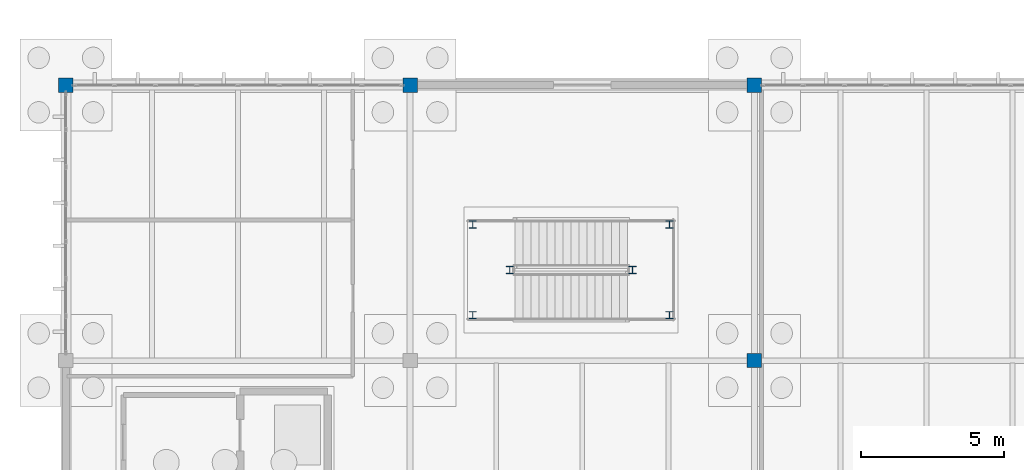
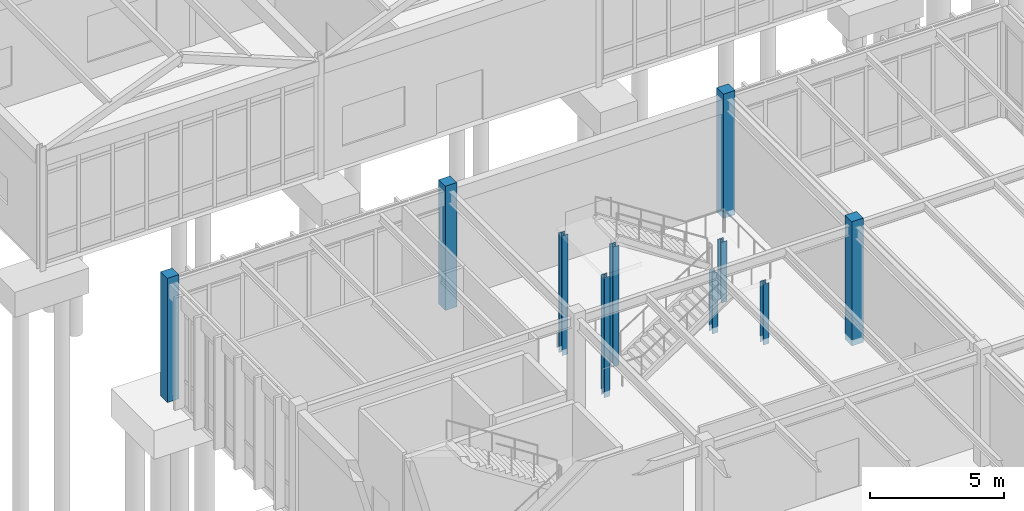
# One storey, part 4 of 188: 10 columns.
"""IFC4 building model written with IfcOpenShell, lengths in metres."""

from ifc_helpers import new_model, si_unit, direction, frame, origin, origin_2d, place, context, subcontext, project, spatial, rectangle, i_section, extrude, material, material_profile, profile_set, type_object, element, save


model = new_model("IFC4")

# Units and contexts
model_context = context("Model", 3, precision=1e-05, world=origin(), true_north=direction((0.0, 1.0)))
body_context = subcontext(model_context, "Body", "Model", "MODEL_VIEW")
ifc_project = project(units=[si_unit("LENGTHUNIT", "METRE"), si_unit("AREAUNIT", "SQUARE_METRE"), si_unit("VOLUMEUNIT", "CUBIC_METRE"), si_unit("PLANEANGLEUNIT", "RADIAN"), si_unit("MASSUNIT", "GRAM", prefix="KILO")], contexts=[model_context])

# Site, building, storey
site_placement = place(None, origin())
site = spatial("IfcSite", under=ifc_project, at=site_placement, CompositionType="ELEMENT")
building_placement = place(site_placement, origin())
building = spatial("IfcBuilding", under=site, at=building_placement, Name="Pandanus Reach Market Hall", CompositionType="ELEMENT")
storey_placement = place(building_placement, origin())
storey = spatial("IfcBuildingStorey", under=building, at=storey_placement, Name="L00", CompositionType="ELEMENT", Elevation=0.0)

# Columns
ifc_material_1 = material(Name="Concrete N40 (40 MPa)", Category="concrete")
ifc_material_profile_1 = material_profile(ifc_material_1, rectangle(XDim=0.5, YDim=0.5, at=origin_2d()), Name="RC500x500", Category="LoadBearing")
ifc_profile_set_1 = profile_set([ifc_material_profile_1], Name="Concrete N40 (40 MPa)")
column_type_1 = type_object("IfcColumnType", Name="CL-RC500-E", PredefinedType="COLUMN", material=ifc_profile_set_1)
for number, where, z_axis, x_axis, name in (
    (1, (24.0, 19.199951171875, -0.27001953125), (0.0, 0.0, 1.0), (1.0, 0.0, 0.0), "Column CL-RC500-E V3-24-192 L00"),
    (2, (0.0, 28.800048828125, -0.27001953125), (0.0, 0.0, 1.0), (1.0, 0.0, 0.0), "Column CL-RC500-E V3-0-288 L00"),
    (3, (12.0, 28.800048828125, -0.27001953125), (0.0, 0.0, 1.0), (1.0, 0.0, 0.0), "Column CL-RC500-E V3-12-288 L00"),
    (4, (24.0, 28.800048828125, -0.27001953125), (0.0, 0.0, 1.0), (1.0, 0.0, 0.0), "Column CL-RC500-E V3-24-288 L00"),
):
    element("IfcColumn", number, at=place(storey_placement, frame(where, z_axis=z_axis, x_axis=x_axis)), inside=storey, type_object=column_type_1, Name=name, PredefinedType="COLUMN", context=body_context, shape_type="SweptSolid", body=[
        extrude(rectangle(XDim=0.5, YDim=0.5, at=origin_2d()), origin(), (0.0, 0.0, 1.0), 5.669921875),
    ])
ifc_material_2 = material(Name="Steel Grade 350 (350 MPa)", Category="steel")
ifc_material_profile_2 = material_profile(ifc_material_2, i_section(OverallWidth=0.25390625, OverallDepth=0.25390625, WebThickness=0.008544921875, FlangeThickness=0.01416015625, at=origin_2d()), Name="250UC72.9", Category="LoadBearing")
ifc_profile_set_2 = profile_set([ifc_material_profile_2], Name="Steel Grade 350 (350 MPa)")
column_type_2 = type_object("IfcColumnType", Name="CL-UC250-I", PredefinedType="COLUMN", material=ifc_profile_set_2)
for number, where, z_axis, x_axis, name in (
    (5, (21.0400390625, 20.780029296875, -0.27001953125), (0.0, 0.0, 1.0), (1.0, 0.0, 0.0), "Feature stair landing post ST-10.L00.1"),
    (6, (21.0400390625, 23.93994140625, -0.27001953125), (0.0, 0.0, 1.0), (1.0, 0.0, 0.0), "Feature stair landing post ST-10.L00.2"),
    (7, (19.75, 22.360107421875, -0.27001953125), (0.0, 0.0, 1.0), (1.0, 0.0, 0.0), "Feature stair landing post ST-10.L00.3"),
):
    element("IfcColumn", number, at=place(storey_placement, frame(where, z_axis=z_axis, x_axis=x_axis)), inside=storey, type_object=column_type_2, Name=name, PredefinedType="COLUMN", context=body_context, shape_type="SweptSolid", body=[
        extrude(i_section(OverallWidth=0.25390625, OverallDepth=0.25390625, WebThickness=0.008544921875, FlangeThickness=0.01416015625, at=origin_2d()), origin(), (0.0, 0.0, 1.0), 2.77001953125),
    ])
for number, where, z_axis, x_axis, name in (
    (8, (14.179931640625, 20.780029296875, -0.27001953125), (0.0, 0.0, 1.0), (1.0, 0.0, 0.0), "Feature stair landing post ST-10.L00.4"),
    (9, (14.179931640625, 23.93994140625, -0.27001953125), (0.0, 0.0, 1.0), (1.0, 0.0, 0.0), "Feature stair landing post ST-10.L00.5"),
    (10, (15.469970703125, 22.360107421875, -0.27001953125), (0.0, 0.0, 1.0), (1.0, 0.0, 0.0), "Feature stair landing post ST-10.L00.6"),
):
    element("IfcColumn", number, at=place(storey_placement, frame(where, z_axis=z_axis, x_axis=x_axis)), inside=storey, type_object=column_type_2, Name=name, PredefinedType="COLUMN", context=body_context, shape_type="SweptSolid", body=[
        extrude(i_section(OverallWidth=0.25390625, OverallDepth=0.25390625, WebThickness=0.008544921875, FlangeThickness=0.01416015625, at=origin_2d()), origin(), (0.0, 0.0, 1.0), 5.469970703125),
    ])

save(model, "model.ifc")
